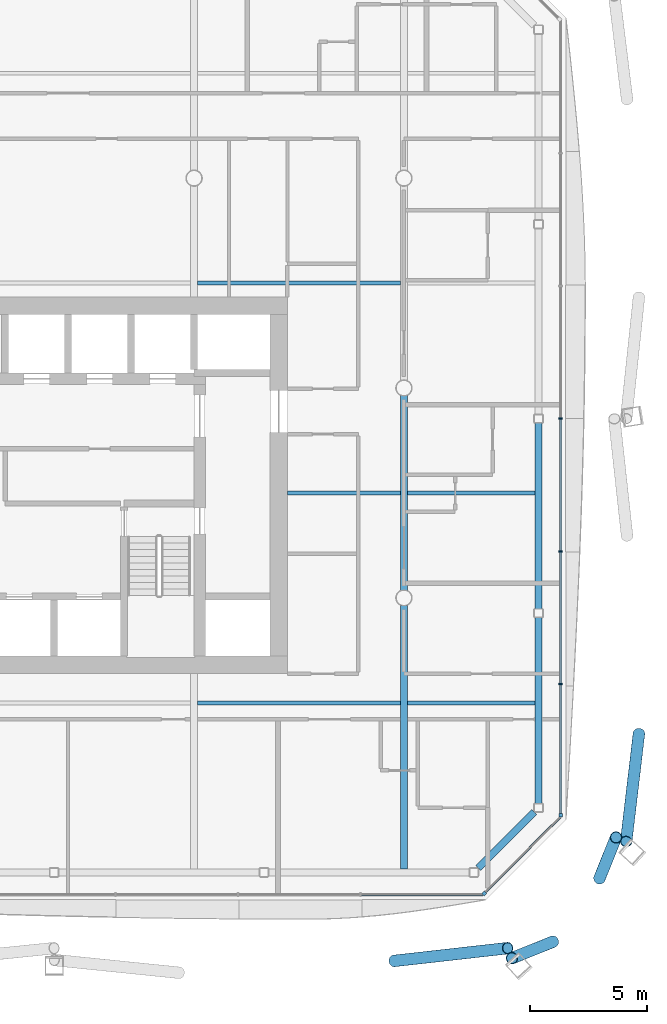
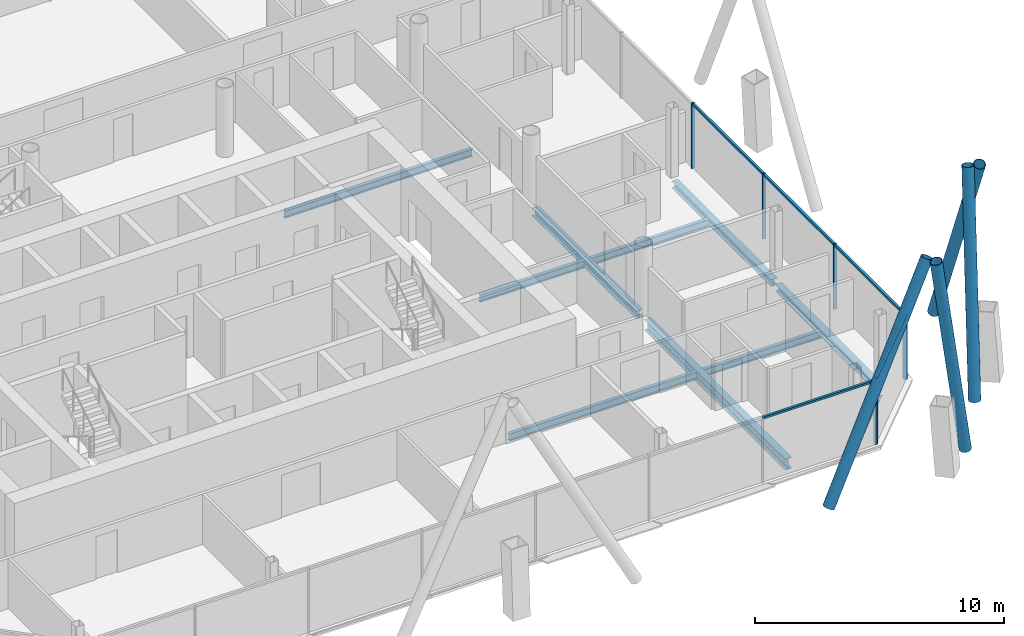
# One storey, part 8 of 20: 14 members, 10 beams, 3 elements without a shape of their own.
"""IFC4 building model written with IfcOpenShell, lengths in metres."""

from ifc_helpers import new_model, si_unit, direction, frame, origin, origin_2d, place, context, subcontext, project, spatial, rectangle, hollow_circle, i_section, extrude, material, material_profile, profile_set, type_object, element, aggregate, save


model = new_model("IFC4")

# Units and contexts
model_context = context("Model", 3, precision=1e-05, world=origin(), true_north=direction((0.0, 1.0)))
body_context = subcontext(model_context, "Body", "Model", "MODEL_VIEW")
ifc_project = project(units=[si_unit("LENGTHUNIT", "METRE"), si_unit("AREAUNIT", "SQUARE_METRE"), si_unit("VOLUMEUNIT", "CUBIC_METRE"), si_unit("PLANEANGLEUNIT", "RADIAN"), si_unit("MASSUNIT", "GRAM", prefix="KILO")], contexts=[model_context])

# Site, building, storey
site_placement = place(None, origin())
site = spatial("IfcSite", under=ifc_project, at=site_placement, CompositionType="ELEMENT")
building_placement = place(site_placement, origin())
building = spatial("IfcBuilding", under=site, at=building_placement, Name="Tskaro Facet Tower", CompositionType="ELEMENT")
storey_placement = place(building_placement, frame((0.0, 0.0, 152.10009765625)))
storey = spatial("IfcBuildingStorey", under=building, at=storey_placement, Name="L37", CompositionType="ELEMENT", Elevation=152.10009765625)

# Members
ifc_material_1 = material(Name="Steel S355J2H", Category="steel")
ifc_material_profile_1 = material_profile(ifc_material_1, hollow_circle(Radius=0.25390625, WallThickness=0.02490234375, at=origin_2d()), Name="CHS 508x25")
ifc_profile_set_1 = profile_set([ifc_material_profile_1], Name="Steel S355J2H")
member_type_1 = type_object("IfcMemberType", Name="CHS 508x25 brace", PredefinedType="BRACE", material=ifc_profile_set_1)
member_1_placement = place(storey_placement, frame((17.58740234375, -24.56982421875, 0.0), z_axis=(0.42982031619, 0.048426810741, 0.901614851138), x_axis=(-0.111959207267, 0.993712803534, 0.0)))
element("IfcMember", 1, at=member_1_placement, inside=storey, type_object=member_type_1, Name="CHS 508x25 XB02A/3", PredefinedType="BRACE", context=body_context, shape_type="SweptSolid", body=[
    extrude(hollow_circle(Radius=0.25390625, WallThickness=0.02490234375, at=origin_2d()), origin(), (0.0, 0.0, 1.0), 11.31298828125),
])
for number, where, z_axis, x_axis, name in (
    (2, (26.39013671875, -21.024658203125, 0.0), (0.068085130039, 0.169094939278, 0.983245298274), (-0.927628414184, 0.373504384444, 0.0), "CHS 508x25 XB03A/3"),
    (3, (24.3837890625, -23.749267578125, 0.0), (-0.169094939278, -0.068085130039, 0.983245298274), (0.373504384444, -0.927628414184, 0.0), "CHS 508x25 XB03B/3"),
):
    element("IfcMember", number, at=place(storey_placement, frame(where, z_axis=z_axis, x_axis=x_axis)), inside=storey, type_object=member_type_1, Name=name, PredefinedType="BRACE", context=body_context, shape_type="SweptSolid", body=[
        extrude(hollow_circle(Radius=0.25390625, WallThickness=0.02490234375, at=origin_2d()), origin(), (0.0, 0.0, 1.0), 10.373779296875),
    ])
member_2_placement = place(storey_placement, frame((28.07763671875, -14.82666015625, 0.0), z_axis=(-0.048840266539, -0.412344238721, 0.909718009692), x_axis=(0.993058302585, -0.117623159566, 0.0)))
element("IfcMember", 4, at=member_2_placement, inside=storey, type_object=member_type_1, Name="CHS 508x25 XB04B/3", PredefinedType="BRACE", context=body_context, shape_type="SweptSolid", body=[
    extrude(hollow_circle(Radius=0.25390625, WallThickness=0.02490234375, at=origin_2d()), origin(), (0.0, 0.0, 1.0), 11.212158203125),
])

# Curtain wall, member
ifc_material_2 = material(Name="Bronze anodised aluminium 6063-T6", Category="aluminium")
curtain_wall_type = type_object("IfcCurtainWallType", Name="Bronze hotel curtain wall (FW2)", PredefinedType="NOTDEFINED", material=ifc_material_2)
curtain_wall_1_placement = place(storey_placement, origin())
curtain_wall_1 = element("IfcCurtainWall", 5, at=curtain_wall_1_placement, inside=storey, type_object=curtain_wall_type, Name="FW2 south-east facet L37", PredefinedType="NOTDEFINED")
ifc_material_profile_2 = material_profile(ifc_material_2, rectangle(XDim=0.14990234375, YDim=0.14990234375, at=origin_2d()), Name="Corner post 150x150")
ifc_profile_set_2 = profile_set([ifc_material_profile_2], Name="Bronze anodised aluminium 6063-T6")
member_type_2 = type_object("IfcMemberType", Name="FW2 bronze corner post 150x150", PredefinedType="MULLION", material=ifc_profile_set_2)
member_3_placement = place(storey_placement, frame((21.445068359375, -21.6708984375, 0.0), z_axis=(0.0, 0.0, 1.0), x_axis=(0.707106781187, 0.707106781187, 0.0)))
member_3 = element("IfcMember", 6, at=member_3_placement, type_object=member_type_2, Name="FW2 south-east corner post", PredefinedType="MULLION", context=body_context, shape_type="SweptSolid", body=[
    extrude(rectangle(XDim=0.14990234375, YDim=0.14990234375, at=origin_2d()), origin(), (0.0, 0.0, 1.0), 3.199951171875),
])

# Curtain wall, members
curtain_wall_2_placement = place(storey_placement, origin())
curtain_wall_2 = element("IfcCurtainWall", 7, at=curtain_wall_2_placement, inside=storey, type_object=curtain_wall_type, Name="FW2 east facet L37", PredefinedType="NOTDEFINED")
member_4_placement = place(storey_placement, frame((24.72412109375, -18.31689453125, 0.0), z_axis=(0.0, 0.0, 1.0), x_axis=(0.0, 1.0, 0.0)))
member_4 = element("IfcMember", 8, at=member_4_placement, type_object=member_type_2, Name="FW2 east corner post", PredefinedType="MULLION", context=body_context, shape_type="SweptSolid", body=[
    extrude(rectangle(XDim=0.14990234375, YDim=0.14990234375, at=origin_2d()), origin(), (0.0, 0.0, 1.0), 3.199951171875),
])
ifc_material_profile_3 = material_profile(ifc_material_2, rectangle(XDim=0.06005859375, YDim=0.14990234375, at=origin_2d()), Name="Mullion 60x150")
ifc_profile_set_3 = profile_set([ifc_material_profile_3], Name="Bronze anodised aluminium 6063-T6")
member_type_3 = type_object("IfcMemberType", Name="FW2 bronze mullion 60x150", PredefinedType="MULLION", material=ifc_profile_set_3)
member_5_placement = place(storey_placement, frame((24.72412109375, -12.699951171875, 0.0), z_axis=(0.0, 0.0, 1.0), x_axis=(0.0, 1.0, 0.0)))
member_5 = element("IfcMember", 9, at=member_5_placement, type_object=member_type_3, Name="FW2 east mullion 1", PredefinedType="MULLION", context=body_context, shape_type="SweptSolid", body=[
    extrude(rectangle(XDim=0.06005859375, YDim=0.14990234375, at=origin_2d()), origin(), (0.0, 0.0, 1.0), 3.199951171875),
])
member_6_placement = place(storey_placement, frame((24.72412109375, -7.007568359375, 0.0), z_axis=(0.0, 0.0, 1.0), x_axis=(0.0, 1.0, 0.0)))
member_6 = element("IfcMember", 10, at=member_6_placement, type_object=member_type_3, Name="FW2 east mullion 2", PredefinedType="MULLION", context=body_context, shape_type="SweptSolid", body=[
    extrude(rectangle(XDim=0.06005859375, YDim=0.14990234375, at=origin_2d()), origin(), (0.0, 0.0, 1.0), 3.199951171875),
])
member_7_placement = place(storey_placement, frame((24.72412109375, -1.3154296875, 0.0), z_axis=(0.0, 0.0, 1.0), x_axis=(0.0, 1.0, 0.0)))
member_7 = element("IfcMember", 11, at=member_7_placement, type_object=member_type_3, Name="FW2 east mullion 3", PredefinedType="MULLION", context=body_context, shape_type="SweptSolid", body=[
    extrude(rectangle(XDim=0.06005859375, YDim=0.14990234375, at=origin_2d()), origin(), (0.0, 0.0, 1.0), 3.199951171875),
])

# Curtain wall, member
curtain_wall_3_placement = place(storey_placement, origin())
curtain_wall_3 = element("IfcCurtainWall", 12, at=curtain_wall_3_placement, inside=storey, type_object=curtain_wall_type, Name="FW2 south facet L37", PredefinedType="NOTDEFINED")
ifc_material_profile_4 = material_profile(ifc_material_2, rectangle(XDim=0.110107421875, YDim=0.10009765625, at=origin_2d()), Name="Transom 110x100")
ifc_profile_set_4 = profile_set([ifc_material_profile_4], Name="Bronze anodised aluminium 6063-T6")
member_type_4 = type_object("IfcMemberType", Name="FW2 bronze transom 110x100", PredefinedType="USERDEFINED", material=ifc_profile_set_4)
member_8_placement = place(storey_placement, frame((16.167236328125, -21.72412109375, 3.14990234375), z_axis=(1.0, 0.0, 0.0), x_axis=(0.0, 1.0, 0.0)))
member_8 = element("IfcMember", 13, at=member_8_placement, type_object=member_type_4, Name="FW2 south transom 7.1", ObjectType="TRANSOM", PredefinedType="USERDEFINED", context=body_context, shape_type="SweptSolid", body=[
    extrude(rectangle(XDim=0.110107421875, YDim=0.10009765625, at=origin_2d()), origin(), (0.0, 0.0, 1.0), 5.224853515625),
])
aggregate(curtain_wall_3, [member_8])

# Member
member_9_placement = place(storey_placement, frame((21.498046875, -21.617919921875, 3.14990234375), z_axis=(0.707133537663, 0.707080023698, 0.0), x_axis=(-0.707080023698, 0.707133537663, 0.0)))
member_9 = element("IfcMember", 14, at=member_9_placement, type_object=member_type_4, Name="FW2 south-east transom 1.1", ObjectType="TRANSOM", PredefinedType="USERDEFINED", context=body_context, shape_type="SweptSolid", body=[
    extrude(rectangle(XDim=0.110107421875, YDim=0.10009765625, at=origin_2d()), origin(), (0.0, 0.0, 1.0), 4.562255859375),
])

aggregate(curtain_wall_1, [member_3, member_9])

member_10_placement = place(storey_placement, frame((24.72412109375, -18.241943359375, 3.14990234375), z_axis=(0.0, 1.0, 0.0), x_axis=(-1.0, 0.0, 0.0)))
member_10 = element("IfcMember", 15, at=member_10_placement, type_object=member_type_4, Name="FW2 east transom 1.1", ObjectType="TRANSOM", PredefinedType="USERDEFINED", context=body_context, shape_type="SweptSolid", body=[
    extrude(rectangle(XDim=0.110107421875, YDim=0.10009765625, at=origin_2d()), origin(), (0.0, 0.0, 1.0), 5.51220703125),
])

member_11_placement = place(storey_placement, frame((24.72412109375, -12.669921875, 3.14990234375), z_axis=(0.0, 1.0, 0.0), x_axis=(-1.0, 0.0, 0.0)))
member_11 = element("IfcMember", 16, at=member_11_placement, type_object=member_type_4, Name="FW2 east transom 2.1", ObjectType="TRANSOM", PredefinedType="USERDEFINED", context=body_context, shape_type="SweptSolid", body=[
    extrude(rectangle(XDim=0.110107421875, YDim=0.10009765625, at=origin_2d()), origin(), (0.0, 0.0, 1.0), 5.63232421875),
])

member_12_placement = place(storey_placement, frame((24.72412109375, -6.977783203125, 3.14990234375), z_axis=(0.0, 1.0, 0.0), x_axis=(-1.0, 0.0, 0.0)))
member_12 = element("IfcMember", 17, at=member_12_placement, type_object=member_type_4, Name="FW2 east transom 3.1", ObjectType="TRANSOM", PredefinedType="USERDEFINED", context=body_context, shape_type="SweptSolid", body=[
    extrude(rectangle(XDim=0.110107421875, YDim=0.10009765625, at=origin_2d()), origin(), (0.0, 0.0, 1.0), 5.63232421875),
])

aggregate(curtain_wall_2, [member_4, member_5, member_6, member_7, member_10, member_11, member_12])

# Beams
ifc_material_3 = material(Name="Steel S355J2", Category="steel")
ifc_material_profile_5 = material_profile(ifc_material_3, i_section(OverallWidth=0.300048828125, OverallDepth=0.340087890625, WebThickness=0.011962890625, FlangeThickness=0.021484375, FilletRadius=0.027099609375, at=origin_2d()), Name="HE 340 B")
ifc_profile_set_5 = profile_set([ifc_material_profile_5], Name="Steel S355J2")
beam_type_1 = type_object("IfcBeamType", Name="HE 340 B ring beam", PredefinedType="BEAM", material=ifc_profile_set_5)
beam_1_placement = place(storey_placement, frame((21.184814453125, -20.588134765625, -0.31005859375), z_axis=(0.707106781187, 0.707106781187, 0.0), x_axis=(-0.707106781187, 0.707106781187, 0.0)))
element("IfcBeam", 18, at=beam_1_placement, inside=storey, type_object=beam_type_1, Name="HE 340 B EB5-3", PredefinedType="BEAM", context=body_context, shape_type="SweptSolid", body=[
    extrude(i_section(OverallWidth=0.300048828125, OverallDepth=0.340087890625, WebThickness=0.011962890625, FlangeThickness=0.021484375, FilletRadius=0.027099609375, at=origin_2d()), origin(), (0.0, 0.0, 1.0), 3.39892578125),
])
beam_2_placement = place(storey_placement, frame((23.77392578125, -17.819091796875, -0.31005859375), z_axis=(0.0, 1.0, 0.0), x_axis=(-1.0, 0.0, 0.0)))
element("IfcBeam", 19, at=beam_2_placement, inside=storey, type_object=beam_type_1, Name="HE 340 B EB6-3", PredefinedType="BEAM", context=body_context, shape_type="SweptSolid", body=[
    extrude(i_section(OverallWidth=0.300048828125, OverallDepth=0.340087890625, WebThickness=0.011962890625, FlangeThickness=0.021484375, FilletRadius=0.027099609375, at=origin_2d()), origin(), (0.0, 0.0, 1.0), 7.982177734375),
])
beam_3_placement = place(storey_placement, frame((23.77392578125, -9.47705078125, -0.31005859375), z_axis=(0.0, 1.0, 0.0), x_axis=(-1.0, 0.0, 0.0)))
element("IfcBeam", 20, at=beam_3_placement, inside=storey, type_object=beam_type_1, Name="HE 340 B EB7-3", PredefinedType="BEAM", context=body_context, shape_type="SweptSolid", body=[
    extrude(i_section(OverallWidth=0.300048828125, OverallDepth=0.340087890625, WebThickness=0.011962890625, FlangeThickness=0.021484375, FilletRadius=0.027099609375, at=origin_2d()), origin(), (0.0, 0.0, 1.0), 7.98095703125),
])
ifc_material_profile_6 = material_profile(ifc_material_3, i_section(OverallWidth=0.300048828125, OverallDepth=0.389892578125, WebThickness=0.010986328125, FlangeThickness=0.01904296875, FilletRadius=0.027099609375, at=origin_2d()), Name="HE 400 A")
ifc_profile_set_6 = profile_set([ifc_material_profile_6], Name="Steel S355J2")
beam_type_2 = type_object("IfcBeamType", Name="HE 400 A girder", PredefinedType="BEAM", material=ifc_profile_set_6)
beam_4_placement = place(storey_placement, frame((18.0, -8.674560546875, -0.335205078125), z_axis=(0.0, 1.0, 0.0), x_axis=(-1.0, 0.0, 0.0)))
element("IfcBeam", 21, at=beam_4_placement, inside=storey, type_object=beam_type_2, Name="HE 400 A GB6-2-3", PredefinedType="BEAM", context=body_context, shape_type="SweptSolid", body=[
    extrude(i_section(OverallWidth=0.300048828125, OverallDepth=0.389892578125, WebThickness=0.010986328125, FlangeThickness=0.01904296875, FilletRadius=0.027099609375, at=origin_2d()), origin(), (0.0, 0.0, 1.0), 8.34912109375),
])
ifc_material_profile_7 = material_profile(ifc_material_3, i_section(OverallWidth=0.300048828125, OverallDepth=0.5400390625, WebThickness=0.012451171875, FlangeThickness=0.02392578125, FilletRadius=0.027099609375, at=origin_2d()), Name="HE 550 A")
ifc_profile_set_7 = profile_set([ifc_material_profile_7], Name="Steel S355J2")
beam_type_3 = type_object("IfcBeamType", Name="HE 550 A long girder", PredefinedType="BEAM", material=ifc_profile_set_7)
beam_5_placement = place(storey_placement, frame((18.0, -20.6240234375, -0.41015625), z_axis=(0.0, 1.0, 0.0), x_axis=(-1.0, 0.0, 0.0)))
element("IfcBeam", 22, at=beam_5_placement, inside=storey, type_object=beam_type_3, Name="HE 550 A LGB6-1-3", PredefinedType="BEAM", context=body_context, shape_type="SweptSolid", body=[
    extrude(i_section(OverallWidth=0.300048828125, OverallDepth=0.5400390625, WebThickness=0.012451171875, FlangeThickness=0.02392578125, FilletRadius=0.027099609375, at=origin_2d()), origin(), (0.0, 0.0, 1.0), 11.298583984375),
])
ifc_material_profile_8 = material_profile(ifc_material_3, i_section(OverallWidth=0.169921875, OverallDepth=0.360107421875, WebThickness=0.008056640625, FlangeThickness=0.0126953125, FilletRadius=0.01806640625, at=origin_2d()), Name="IPE 360")
ifc_profile_set_8 = profile_set([ifc_material_profile_8], Name="Steel S355J2")
beam_type_4 = type_object("IfcBeamType", Name="IPE 360 secondary beam", PredefinedType="BEAM", material=ifc_profile_set_8)
beam_6_placement = place(storey_placement, frame((9.14990234375, -13.5, -0.320068359375), z_axis=(1.0, 0.0, 0.0), x_axis=(0.0, 1.0, 0.0)))
element("IfcBeam", 23, at=beam_6_placement, inside=storey, type_object=beam_type_4, Name="IPE 360 SB2a-4-3", PredefinedType="BEAM", context=body_context, shape_type="SweptSolid", body=[
    extrude(i_section(OverallWidth=0.169921875, OverallDepth=0.360107421875, WebThickness=0.008056640625, FlangeThickness=0.0126953125, FilletRadius=0.01806640625, at=origin_2d()), origin(), (0.0, 0.0, 1.0), 8.7001953125),
])
beam_7_placement = place(storey_placement, frame((18.14990234375, -13.5, -0.320068359375), z_axis=(1.0, 0.0, 0.0), x_axis=(0.0, 1.0, 0.0)))
element("IfcBeam", 24, at=beam_7_placement, inside=storey, type_object=beam_type_4, Name="IPE 360 SB2a-5-3", PredefinedType="BEAM", context=body_context, shape_type="SweptSolid", body=[
    extrude(i_section(OverallWidth=0.169921875, OverallDepth=0.360107421875, WebThickness=0.008056640625, FlangeThickness=0.0126953125, FilletRadius=0.01806640625, at=origin_2d()), origin(), (0.0, 0.0, 1.0), 5.47412109375),
])
beam_8_placement = place(storey_placement, frame((13.0, -4.5, -0.320068359375), z_axis=(1.0, 0.0, 0.0), x_axis=(0.0, 1.0, 0.0)))
element("IfcBeam", 25, at=beam_8_placement, inside=storey, type_object=beam_type_4, Name="IPE 360 SB3a-2-3", PredefinedType="BEAM", context=body_context, shape_type="SweptSolid", body=[
    extrude(i_section(OverallWidth=0.169921875, OverallDepth=0.360107421875, WebThickness=0.008056640625, FlangeThickness=0.0126953125, FilletRadius=0.01806640625, at=origin_2d()), origin(), (0.0, 0.0, 1.0), 4.85009765625),
])
beam_9_placement = place(storey_placement, frame((18.14990234375, -4.5, -0.320068359375), z_axis=(1.0, 0.0, 0.0), x_axis=(0.0, 1.0, 0.0)))
element("IfcBeam", 26, at=beam_9_placement, inside=storey, type_object=beam_type_4, Name="IPE 360 SB3a-3-3", PredefinedType="BEAM", context=body_context, shape_type="SweptSolid", body=[
    extrude(i_section(OverallWidth=0.169921875, OverallDepth=0.360107421875, WebThickness=0.008056640625, FlangeThickness=0.0126953125, FilletRadius=0.01806640625, at=origin_2d()), origin(), (0.0, 0.0, 1.0), 5.47412109375),
])
beam_10_placement = place(storey_placement, frame((9.14990234375, 4.5, -0.320068359375), z_axis=(1.0, 0.0, 0.0), x_axis=(0.0, 1.0, 0.0)))
element("IfcBeam", 27, at=beam_10_placement, inside=storey, type_object=beam_type_4, Name="IPE 360 SB4a-4-3", PredefinedType="BEAM", context=body_context, shape_type="SweptSolid", body=[
    extrude(i_section(OverallWidth=0.169921875, OverallDepth=0.360107421875, WebThickness=0.008056640625, FlangeThickness=0.0126953125, FilletRadius=0.01806640625, at=origin_2d()), origin(), (0.0, 0.0, 1.0), 8.7001953125),
])

save(model, "model.ifc")
